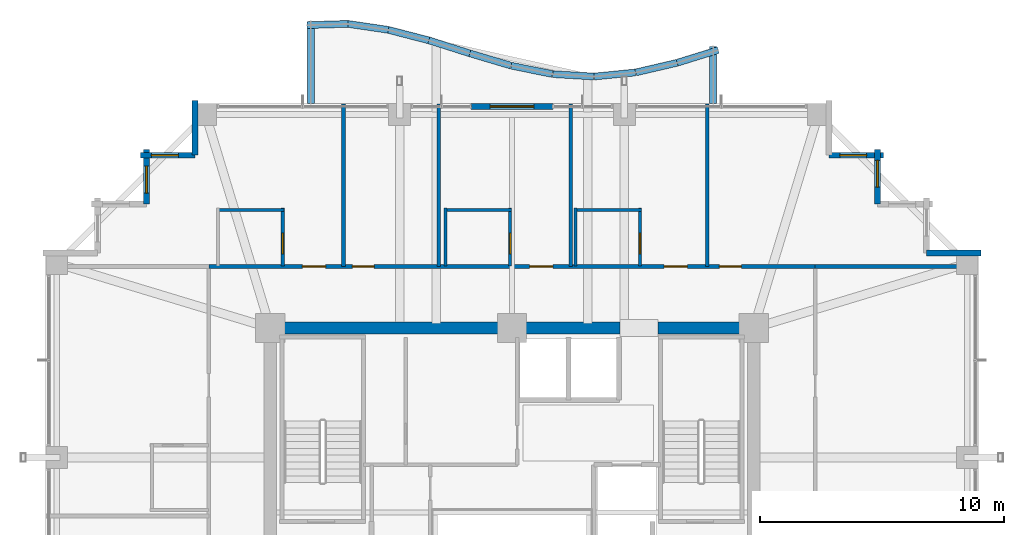
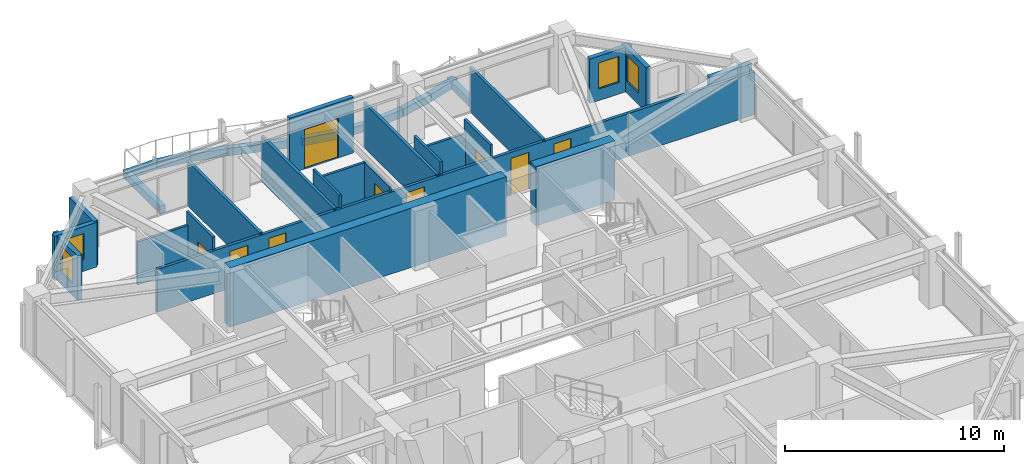
# One storey, part 29 of 32: 35 walls, 9 doors, 4 windows, 13 openings.
"""IFC4 building model written with IfcOpenShell, lengths in metres."""

import ifcopenshell
import ifcopenshell.guid

model = None  # the IFC model being written
_history = None  # IfcOwnerHistory: only IFC2X3 demands one
_inside = {}  # id of a spatial element -> (the spatial element, [elements in it])
_under = {}  # id of a project, library or spatial element -> (it, [spatial elements below it])
_declared = {}  # id of a project -> (the project, [libraries it declares])
_typed = {}  # id of a type object -> (the type object, [elements of that type])
_made_of = {}  # id of a material, layer set ... -> (it, [elements and type objects made of it])


def new_model(schema):
    """Start an empty IFC model of exactly this schema.

    Asked for "IFC4X3", IfcOpenShell would pick the latest addendum, in which some entities
    have other attributes; the version numbers below select the first issue.
    IFC2X3 requires an IfcOwnerHistory on every rooted entity: one is made here for all.
    """
    global model, _history
    if schema == "IFC4X3":
        model = ifcopenshell.file(schema_version=(4, 3, 0, 0))
    else:
        model = ifcopenshell.file(schema=schema)
    _inside.clear()
    _under.clear()
    _declared.clear()
    _typed.clear()
    _made_of.clear()
    _history = None
    if model.schema == "IFC2X3":
        org = make("IfcOrganization", Name="unknown")
        user = make(
            "IfcPersonAndOrganization",
            ThePerson=make("IfcPerson", FamilyName="unknown"),
            TheOrganization=org,
        )
        app = make(
            "IfcApplication",
            ApplicationDeveloper=org,
            Version="unknown",
            ApplicationFullName="unknown",
            ApplicationIdentifier="unknown",
        )
        _history = make(
            "IfcOwnerHistory",
            OwningUser=user,
            OwningApplication=app,
            ChangeAction="ADDED",
            CreationDate=0,
        )
    return model


def make(cls, **values):
    """One entity of the class cls with the attributes given. An attribute that is None is left unset."""
    return model.create_entity(
        cls, **{name: value for name, value in values.items() if value is not None}
    )


def rooted(cls, **values):
    """An entity with a GlobalId (a new one), such as an element, a storey or a relation."""
    return make(cls, GlobalId=ifcopenshell.guid.new(), OwnerHistory=_history, **values)


def si_unit(unit_type, name, prefix=None):
    """IfcSIUnit, for example si_unit("LENGTHUNIT", "METRE", prefix="MILLI")."""
    return make("IfcSIUnit", UnitType=unit_type, Prefix=prefix, Name=name)


def assignment(units):
    """IfcUnitAssignment: the units of a project."""
    return None if units is None else make("IfcUnitAssignment", Units=units)


def point(xyz):
    """IfcCartesianPoint."""
    return None if xyz is None else make("IfcCartesianPoint", Coordinates=xyz)


def direction(xyz):
    """IfcDirection."""
    return None if xyz is None else make("IfcDirection", DirectionRatios=xyz)


def frame(location, z_axis=None, x_axis=None):
    """IfcAxis2Placement3D, a coordinate frame: its origin and axes. An axis left out is left unset."""
    return make(
        "IfcAxis2Placement3D",
        Location=point(location),
        Axis=direction(z_axis),
        RefDirection=direction(x_axis),
    )


def frame_2d(location, x_axis=None):
    """IfcAxis2Placement2D, a coordinate frame in the plane: its origin and x axis."""
    return make(
        "IfcAxis2Placement2D", Location=point(location), RefDirection=direction(x_axis)
    )


def origin():
    """The frame at (0, 0, 0) with its axes left unset."""
    return frame((0.0, 0.0, 0.0))


def place(relative_to, where):
    """IfcLocalPlacement: puts the frame where relative to a parent placement (None: the world)."""
    return make(
        "IfcLocalPlacement", PlacementRelTo=relative_to, RelativePlacement=where
    )


def context(
    kind, dimensions, precision=None, world=None, true_north=None, identifier=None
):
    """IfcGeometricRepresentationContext, for example the 3D "Model" context."""
    return make(
        "IfcGeometricRepresentationContext",
        ContextIdentifier=identifier,
        ContextType=kind,
        CoordinateSpaceDimension=dimensions,
        Precision=precision,
        WorldCoordinateSystem=world,
        TrueNorth=true_north,
    )


def subcontext(parent, identifier, kind, view, scale=None):
    """IfcGeometricRepresentationSubContext, for example "Body" below "Model"."""
    return make(
        "IfcGeometricRepresentationSubContext",
        ContextIdentifier=identifier,
        ContextType=kind,
        ParentContext=parent,
        TargetScale=scale,
        TargetView=view,
    )


def project(units=None, contexts=None):
    """IfcProject with its units and contexts."""
    return rooted(
        "IfcProject",
        Name="project",
        RepresentationContexts=contexts,
        UnitsInContext=assignment(units),
    )


def spatial(cls, under=None, at=None, **own):
    """A site, building, storey or space (cls), placed at a placement, below another one or the project."""
    s = rooted(cls, ObjectPlacement=at, **own)
    if under is not None:
        _under.setdefault(under.id(), (under, []))[1].append(s)
    return s


def profile(cls, at=None, kind="AREA", **sizes):
    """A parametric profile (cls). Its sizes go by their IFC names, for example OverallWidth=200.0."""
    return make(cls, ProfileType=kind, Position=at, **sizes)


def rectangle(**sizes):
    """IfcRectangleProfileDef."""
    return profile("IfcRectangleProfileDef", **sizes)


def extrude(swept, where, along, depth):
    """IfcExtrudedAreaSolid: the profile swept, set in the frame where, extruded along a direction by depth."""
    return make(
        "IfcExtrudedAreaSolid",
        SweptArea=swept,
        Position=where,
        ExtrudedDirection=direction(along),
        Depth=depth,
    )


def shape(context_of_items, identifier, shape_type, items):
    """IfcShapeRepresentation: the items that make up one representation, for example the "Body"."""
    return make(
        "IfcShapeRepresentation",
        ContextOfItems=context_of_items,
        RepresentationIdentifier=identifier,
        RepresentationType=shape_type,
        Items=items,
    )


def material(Name=None, Category=None):
    """IfcMaterial."""
    return make("IfcMaterial", Name=Name, Category=Category)


def layer(
    of_material, thickness, ventilated=None, Name=None, Category=None, Priority=None
):
    """IfcMaterialLayer: one layer of a wall or slab, of a material (None: an air gap)."""
    return make(
        "IfcMaterialLayer",
        Material=of_material,
        LayerThickness=thickness,
        IsVentilated=ventilated,
        Name=Name,
        Category=Category,
        Priority=Priority,
    )


def layer_set(layers, Name=None):
    """IfcMaterialLayerSet."""
    return make("IfcMaterialLayerSet", MaterialLayers=layers, LayerSetName=Name)


def made_of(thing, what):
    """Note that an element or type object is made of a material, layer set ...; save() writes the relation."""
    if what is not None:
        _made_of.setdefault(what.id(), (what, []))[1].append(thing)
    return thing


def type_object(cls, material=None, **own):
    """A type object (cls), such as IfcWallType, which elements share."""
    return made_of(rooted(cls, **own), material)


def element(
    cls,
    number,
    at=None,
    inside=None,
    cuts=None,
    type_object=None,
    material=None,
    context=None,
    identifier="Body",
    shape_type=None,
    held_by="IfcProductDefinitionShape",
    body=None,
    shapes=None,
    **own,
):
    """One element of the class cls, such as IfcWall. Its Tag is "e" and its number.

    at: its placement. inside: the storey or other place that contains it. cuts: it is an
    opening in that element (IfcRelVoidsElement). A single representation is given by context,
    identifier, shape_type and body (its items); several are given by shapes. held_by: the class
    of the entity that holds the representations. save() writes the other relations.
    """
    e = rooted(cls, Tag="e%d" % number, ObjectPlacement=at, **own)
    if body is not None:
        shapes = [shape(context, identifier, shape_type, body)]
    if shapes is not None:
        e.Representation = make(held_by, Representations=shapes)
    if inside is not None:
        _inside.setdefault(inside.id(), (inside, []))[1].append(e)
    if cuts is not None:
        rooted(
            "IfcRelVoidsElement", RelatingBuildingElement=cuts, RelatedOpeningElement=e
        )
    if type_object is not None:
        _typed.setdefault(type_object.id(), (type_object, []))[1].append(e)
    return made_of(e, material)


def fill(opening, filler):
    """IfcRelFillsElement: the door or window that sits in an opening."""
    return rooted(
        "IfcRelFillsElement",
        RelatingOpeningElement=opening,
        RelatedBuildingElement=filler,
    )


def aggregate(whole, parts):
    """IfcRelAggregates: a whole, such as a stair, and the parts it consists of."""
    return rooted("IfcRelAggregates", RelatingObject=whole, RelatedObjects=parts)


def save(model, path):
    """Write the relations noted so far, then the file.

    IfcRelAggregates (storeys below a building ...), IfcRelContainedInSpatialStructure (elements
    in a storey), IfcRelDefinesByType, IfcRelAssociatesMaterial and IfcRelDeclares: one each for
    every whole, place, type object, material and project.
    """
    for whole, parts in _under.values():
        aggregate(whole, parts)
    for where, things in _inside.values():
        rooted(
            "IfcRelContainedInSpatialStructure",
            RelatedElements=things,
            RelatingStructure=where,
        )
    for kind, things in _typed.values():
        rooted("IfcRelDefinesByType", RelatedObjects=things, RelatingType=kind)
    for what, things in _made_of.values():
        rooted("IfcRelAssociatesMaterial", RelatedObjects=things, RelatingMaterial=what)
    for by, libraries in _declared.values():
        rooted("IfcRelDeclares", RelatingContext=by, RelatedDefinitions=libraries)
    model.write(path)


model = new_model("IFC4")

# Units and contexts
model_context = context("Model", 3, precision=1e-05, world=origin(), true_north=direction((0.0, 1.0)))
body_context = subcontext(model_context, "Body", "Model", "MODEL_VIEW")
ifc_project = project(units=[si_unit("LENGTHUNIT", "METRE"), si_unit("AREAUNIT", "SQUARE_METRE"), si_unit("VOLUMEUNIT", "CUBIC_METRE"), si_unit("PLANEANGLEUNIT", "RADIAN"), si_unit("MASSUNIT", "GRAM", prefix="KILO")], contexts=[model_context])

# Site, building, storey
site_placement = place(None, origin())
site = spatial("IfcSite", under=ifc_project, at=site_placement, CompositionType="ELEMENT")
building_placement = place(site_placement, origin())
building = spatial("IfcBuilding", under=site, at=building_placement, Name="Kolvaren Belvedere", CompositionType="ELEMENT")
storey_placement = place(building_placement, frame((0.0, 0.0, 160.199951171875)))
storey = spatial("IfcBuildingStorey", under=building, at=storey_placement, Name="L46", CompositionType="ELEMENT", Elevation=160.199951171875)

# Walls
ifc_material_1 = material(Name="Concrete C50/60", Category="concrete")
ifc_layer_1 = layer(ifc_material_1, 0.5)
ifc_layer_set_1 = layer_set([ifc_layer_1], Name="Concrete C50/60")
wall_type_1 = type_object("IfcWallType", Name="CW-CORE-500", PredefinedType="SHEAR", material=ifc_layer_set_1)
wall_1_placement = place(storey_placement, frame((-10.14990234375, 9.89990234375, 0.0), z_axis=(0.0, 0.0, 1.0), x_axis=(1.0, 0.0, 0.0)))
element("IfcWall", 1, at=wall_1_placement, inside=storey, type_object=wall_type_1, Name="L46 North Core Shear Wall 1", PredefinedType="SHEAR", context=body_context, shape_type="SweptSolid", body=[
    extrude(rectangle(XDim=14.56982421875, YDim=0.5, at=frame_2d((7.284912109375, 0.0))), origin(), (0.0, 0.0, 1.0), 3.300048828125),
])
wall_2_placement = place(storey_placement, frame((5.97998046875, 9.89990234375, 0.0), z_axis=(0.0, 0.0, 1.0), x_axis=(1.0, 0.0, 0.0)))
element("IfcWall", 2, at=wall_2_placement, inside=storey, type_object=wall_type_1, Name="L46 North Core Shear Wall 2", PredefinedType="SHEAR", context=body_context, shape_type="SweptSolid", body=[
    extrude(rectangle(XDim=4.169921875, YDim=0.5, at=frame_2d((2.0849609375, 0.0))), origin(), (0.0, 0.0, 1.0), 3.300048828125),
])

# Wall, openings, doors
ifc_material_2 = material(Name="Gypsum fire-rated partition assembly", Category="gypsum")
ifc_layer_2 = layer(ifc_material_2, 0.14990234375)
ifc_layer_set_2 = layer_set([ifc_layer_2], Name="Gypsum fire-rated partition assembly")
wall_type_2 = type_object("IfcWallType", Name="WL-CORR-150", PredefinedType="PARTITIONING", material=ifc_layer_set_2)
wall_3_placement = place(storey_placement, frame((-12.419921875, 12.419921875, 0.0), z_axis=(0.0, 0.0, 1.0), x_axis=(1.0, 0.0, 0.0)))
wall_3 = element("IfcWall", 3, at=wall_3_placement, inside=storey, type_object=wall_type_2, Name="L46 North Corridor Wall", PredefinedType="PARTITIONING", context=body_context, shape_type="SweptSolid", body=[
    extrude(rectangle(XDim=24.83984375, YDim=0.14990234375, at=frame_2d((12.419921875, 0.0))), origin(), (0.0, 0.0, 1.0), 2.38916015625),
])
opening_1_placement = place(wall_3_placement, frame((3.831298828125, 0.0, 0.0)))
opening_1 = element("IfcOpeningElement", 4, at=opening_1_placement, cuts=wall_3, Name="Opening D-FD60", PredefinedType="OPENING", context=body_context, shape_type="SweptSolid", body=[
    extrude(rectangle(XDim=0.949951171875, YDim=2.06005859375, at=frame_2d((0.47509765625, 1.030029296875))), frame((0.0, 0.0849609375, 0.0), z_axis=(0.0, -1.0, 0.0), x_axis=(1.0, 0.0, 0.0)), (0.0, 0.0, 1.0), 0.169921875),
])
opening_2_placement = place(wall_3_placement, frame((5.876953125, 0.0, 0.0)))
opening_2 = element("IfcOpeningElement", 5, at=opening_2_placement, cuts=wall_3, Name="Opening D-INT90", PredefinedType="OPENING", context=body_context, shape_type="SweptSolid", body=[
    extrude(rectangle(XDim=0.89990234375, YDim=2.06005859375, at=frame_2d((0.449951171875, 1.030029296875))), frame((0.0, 0.0849609375, 0.0), z_axis=(0.0, -1.0, 0.0), x_axis=(1.0, 0.0, 0.0)), (0.0, 0.0, 1.0), 0.169921875),
])
opening_3_placement = place(wall_3_placement, frame((13.146484375, 0.0, 0.0)))
opening_3 = element("IfcOpeningElement", 6, at=opening_3_placement, cuts=wall_3, Name="Opening D-FD60", PredefinedType="OPENING", context=body_context, shape_type="SweptSolid", body=[
    extrude(rectangle(XDim=0.949951171875, YDim=2.06005859375, at=frame_2d((0.47509765625, 1.030029296875))), frame((0.0, 0.0849609375, 0.0), z_axis=(0.0, -1.0, 0.0), x_axis=(1.0, 0.0, 0.0)), (0.0, 0.0, 1.0), 0.169921875),
])
opening_4_placement = place(wall_3_placement, frame((18.653076171875, 0.0, 0.0)))
opening_4 = element("IfcOpeningElement", 7, at=opening_4_placement, cuts=wall_3, Name="Opening D-FD60", PredefinedType="OPENING", context=body_context, shape_type="SweptSolid", body=[
    extrude(rectangle(XDim=0.949951171875, YDim=2.06005859375, at=frame_2d((0.47509765625, 1.030029296875))), frame((0.0, 0.0849609375, 0.0), z_axis=(0.0, -1.0, 0.0), x_axis=(1.0, 0.0, 0.0)), (0.0, 0.0, 1.0), 0.169921875),
])
opening_5_placement = place(wall_3_placement, frame((20.91552734375, 0.0, 0.0)))
opening_5 = element("IfcOpeningElement", 8, at=opening_5_placement, cuts=wall_3, Name="Opening D-INT90", PredefinedType="OPENING", context=body_context, shape_type="SweptSolid", body=[
    extrude(rectangle(XDim=0.89990234375, YDim=2.06005859375, at=frame_2d((0.449951171875, 1.030029296875))), frame((0.0, 0.0849609375, 0.0), z_axis=(0.0, -1.0, 0.0), x_axis=(1.0, 0.0, 0.0)), (0.0, 0.0, 1.0), 0.169921875),
])
ifc_material_3 = material(Name="Acoustic white-oak fire door leaf", Category="timber")
door_type_1 = type_object("IfcDoorType", Name="DR-FD60-950", OperationType="NOTDEFINED", PredefinedType="DOOR", material=ifc_material_3)
door_1_placement = place(opening_1_placement, origin())
door_1 = element("IfcDoor", 9, at=door_1_placement, inside=storey, type_object=door_type_1, Name="L46 Botanical Hospitality Suite 4609 Entry Door", OperationType="SINGLE_SWING_RIGHT", OverallHeight=2.06005859375, OverallWidth=0.949951171875, PredefinedType="DOOR", context=body_context, shape_type="SweptSolid", body=[
    extrude(rectangle(XDim=0.949951171875, YDim=2.06005859375, at=frame_2d((0.47509765625, 1.030029296875))), frame((0.0, 0.02490234375, 0.0), z_axis=(0.0, -1.0, 0.0), x_axis=(1.0, 0.0, 0.0)), (0.0, 0.0, 1.0), 0.050048828125),
])
fill(opening_1, door_1)
door_2_placement = place(opening_3_placement, origin())
door_2 = element("IfcDoor", 10, at=door_2_placement, inside=storey, type_object=door_type_1, Name="L46 Botanical Hospitality Suite 4611 Entry Door", OperationType="SINGLE_SWING_LEFT", OverallHeight=2.06005859375, OverallWidth=0.949951171875, PredefinedType="DOOR", context=body_context, shape_type="SweptSolid", body=[
    extrude(rectangle(XDim=0.949951171875, YDim=2.06005859375, at=frame_2d((0.47509765625, 1.030029296875))), frame((0.0, 0.02490234375, 0.0), z_axis=(0.0, -1.0, 0.0), x_axis=(1.0, 0.0, 0.0)), (0.0, 0.0, 1.0), 0.050048828125),
])
fill(opening_3, door_2)
door_3_placement = place(opening_4_placement, origin())
door_3 = element("IfcDoor", 11, at=door_3_placement, inside=storey, type_object=door_type_1, Name="L46 King Guest Room 4612 Entry Door", OperationType="SINGLE_SWING_LEFT", OverallHeight=2.06005859375, OverallWidth=0.949951171875, PredefinedType="DOOR", context=body_context, shape_type="SweptSolid", body=[
    extrude(rectangle(XDim=0.949951171875, YDim=2.06005859375, at=frame_2d((0.47509765625, 1.030029296875))), frame((0.0, 0.02490234375, 0.0), z_axis=(0.0, -1.0, 0.0), x_axis=(1.0, 0.0, 0.0)), (0.0, 0.0, 1.0), 0.050048828125),
])
fill(opening_4, door_3)
ifc_material_4 = material(Name="Stained Pacific white oak", Category="timber")
door_type_2 = type_object("IfcDoorType", Name="DR-INT-900", OperationType="NOTDEFINED", PredefinedType="DOOR", material=ifc_material_4)
door_4_placement = place(opening_2_placement, origin())
door_4 = element("IfcDoor", 12, at=door_4_placement, inside=storey, type_object=door_type_2, Name="L46 Lounge 4610 Door", OperationType="SINGLE_SWING_LEFT", OverallHeight=2.06005859375, OverallWidth=0.89990234375, PredefinedType="DOOR", context=body_context, shape_type="SweptSolid", body=[
    extrude(rectangle(XDim=0.89990234375, YDim=2.06005859375, at=frame_2d((0.449951171875, 1.030029296875))), frame((0.0, 0.02490234375, 0.0), z_axis=(0.0, -1.0, 0.0), x_axis=(1.0, 0.0, 0.0)), (0.0, 0.0, 1.0), 0.050048828125),
])
fill(opening_2, door_4)
door_5_placement = place(opening_5_placement, origin())
door_5 = element("IfcDoor", 13, at=door_5_placement, inside=storey, type_object=door_type_2, Name="L46 Lounge 4613 Door", OperationType="SINGLE_SWING_RIGHT", OverallHeight=2.06005859375, OverallWidth=0.89990234375, PredefinedType="DOOR", context=body_context, shape_type="SweptSolid", body=[
    extrude(rectangle(XDim=0.89990234375, YDim=2.06005859375, at=frame_2d((0.449951171875, 1.030029296875))), frame((0.0, 0.02490234375, 0.0), z_axis=(0.0, -1.0, 0.0), x_axis=(1.0, 0.0, 0.0)), (0.0, 0.0, 1.0), 0.050048828125),
])
fill(opening_5, door_5)

# Wall
ifc_material_5 = material(Name="Insulated pale-metal facade wall assembly", Category="aluminium")
ifc_layer_3 = layer(ifc_material_5, 0.239990234375)
ifc_layer_set_3 = layer_set([ifc_layer_3], Name="Insulated pale-metal facade wall assembly")
wall_type_3 = type_object("IfcWallType", Name="WL-EXT-240", PredefinedType="STANDARD", material=ifc_layer_set_3)
wall_4_placement = place(storey_placement, frame((16.97998046875, 12.97998046875, 0.0), z_axis=(0.0, 0.0, 1.0), x_axis=(1.0, 0.0, 0.0)))
element("IfcWall", 14, at=wall_4_placement, inside=storey, type_object=wall_type_3, Name="L46 Serrated Corner Facade Wall 9", PredefinedType="STANDARD", context=body_context, shape_type="SweptSolid", body=[
    extrude(rectangle(XDim=2.239990234375, YDim=0.239990234375, at=frame_2d((1.1201171875, 0.0))), origin(), (0.0, 0.0, 1.0), 2.483154296875),
])

# Wall, opening, window
wall_5_placement = place(storey_placement, frame((14.97998046875, 17.219970703125, 0.0), z_axis=(0.0, 0.0, 1.0), x_axis=(0.0, -1.0, 0.0)))
wall_5 = element("IfcWall", 15, at=wall_5_placement, inside=storey, type_object=wall_type_3, Name="L46 Serrated Corner Facade Wall 12", PredefinedType="STANDARD", context=body_context, shape_type="SweptSolid", body=[
    extrude(rectangle(XDim=2.239990234375, YDim=0.239990234375, at=frame_2d((1.1201171875, 0.0))), origin(), (0.0, 0.0, 1.0), 2.483154296875),
])
opening_6_placement = place(wall_5_placement, frame((0.449951171875, 0.0, 0.64990234375)))
opening_6 = element("IfcOpeningElement", 16, at=opening_6_placement, cuts=wall_5, Name="Opening W-1100", PredefinedType="OPENING", context=body_context, shape_type="SweptSolid", body=[
    extrude(rectangle(XDim=1.10009765625, YDim=1.449951171875, at=frame_2d((0.550048828125, 0.72509765625))), frame((0.0, 0.1298828125, 0.0), z_axis=(0.0, -1.0, 0.0), x_axis=(1.0, 0.0, 0.0)), (0.0, 0.0, 1.0), 0.260009765625),
])
ifc_material_6 = material(Name="Low-iron triple insulated glass", Category="glass")
window_type = type_object("IfcWindowType", Name="WN-CORN-1100", PartitioningType="SINGLE_PANEL", PredefinedType="WINDOW", material=ifc_material_6)
window_1_placement = place(opening_6_placement, origin())
window_1 = element("IfcWindow", 17, at=window_1_placement, inside=storey, type_object=window_type, Name="L46 Serrated Corner Vision Window 12", OverallHeight=1.449951171875, OverallWidth=1.10009765625, PartitioningType="SINGLE_PANEL", PredefinedType="WINDOW", context=body_context, shape_type="SweptSolid", body=[
    extrude(rectangle(XDim=1.10009765625, YDim=1.449951171875, at=frame_2d((0.550048828125, 0.72509765625))), frame((0.0, 0.030029296875, 0.0), z_axis=(0.0, -1.0, 0.0), x_axis=(1.0, 0.0, 0.0)), (0.0, 0.0, 1.0), 0.06005859375),
])
fill(opening_6, window_1)

wall_6_placement = place(storey_placement, frame((12.97998046875, 16.97998046875, 0.0), z_axis=(0.0, 0.0, 1.0), x_axis=(1.0, 0.0, 0.0)))
wall_6 = element("IfcWall", 18, at=wall_6_placement, inside=storey, type_object=wall_type_3, Name="L46 Serrated Corner Facade Wall 13", PredefinedType="STANDARD", context=body_context, shape_type="SweptSolid", body=[
    extrude(rectangle(XDim=2.239990234375, YDim=0.239990234375, at=frame_2d((1.1201171875, 0.0))), origin(), (0.0, 0.0, 1.0), 2.483154296875),
])
opening_7_placement = place(wall_6_placement, frame((0.449951171875, 0.0, 0.64990234375)))
opening_7 = element("IfcOpeningElement", 19, at=opening_7_placement, cuts=wall_6, Name="Opening W-1100", PredefinedType="OPENING", context=body_context, shape_type="SweptSolid", body=[
    extrude(rectangle(XDim=1.10009765625, YDim=1.449951171875, at=frame_2d((0.550048828125, 0.72509765625))), frame((0.0, 0.1298828125, 0.0), z_axis=(0.0, -1.0, 0.0), x_axis=(1.0, 0.0, 0.0)), (0.0, 0.0, 1.0), 0.260009765625),
])
window_2_placement = place(opening_7_placement, origin())
window_2 = element("IfcWindow", 20, at=window_2_placement, inside=storey, type_object=window_type, Name="L46 Serrated Corner Vision Window 13", OverallHeight=1.449951171875, OverallWidth=1.10009765625, PartitioningType="SINGLE_PANEL", PredefinedType="WINDOW", context=body_context, shape_type="SweptSolid", body=[
    extrude(rectangle(XDim=1.10009765625, YDim=1.449951171875, at=frame_2d((0.550048828125, 0.72509765625))), frame((0.0, 0.030029296875, 0.0), z_axis=(0.0, -1.0, 0.0), x_axis=(1.0, 0.0, 0.0)), (0.0, 0.0, 1.0), 0.06005859375),
])
fill(opening_7, window_2)

# Wall, opening, door
wall_7_placement = place(storey_placement, frame((-1.679931640625, 18.97998046875, 0.0), z_axis=(0.0, 0.0, 1.0), x_axis=(1.0, 0.0, 0.0)))
wall_7 = element("IfcWall", 21, at=wall_7_placement, inside=storey, type_object=wall_type_3, Name="L46 North Terrace Portal Wall", PredefinedType="STANDARD", context=body_context, shape_type="SweptSolid", body=[
    extrude(rectangle(XDim=3.35986328125, YDim=0.239990234375, at=frame_2d((1.679931640625, 0.0))), origin(), (0.0, 0.0, 1.0), 3.10009765625),
])
opening_8_placement = place(wall_7_placement, frame((0.780029296875, 0.0, 0.0)))
opening_8 = element("IfcOpeningElement", 22, at=opening_8_placement, cuts=wall_7, Name="Opening DB-1800", PredefinedType="OPENING", context=body_context, shape_type="SweptSolid", body=[
    extrude(rectangle(XDim=1.800048828125, YDim=2.199951171875, at=frame_2d((0.89990234375, 1.10009765625))), frame((0.0, 0.1298828125, 0.0), z_axis=(0.0, -1.0, 0.0), x_axis=(1.0, 0.0, 0.0)), (0.0, 0.0, 1.0), 0.260009765625),
])
ifc_material_7 = material(Name="Thermally broken pale-metal aluminium & low-iron glass", Category="aluminium")
door_type_3 = type_object("IfcDoorType", Name="DR-BAL-1800", OperationType="DOUBLE_DOOR_SLIDING", PredefinedType="DOOR", material=ifc_material_7)
door_6_placement = place(opening_8_placement, origin())
door_6 = element("IfcDoor", 23, at=door_6_placement, inside=storey, type_object=door_type_3, Name="L46 North Planted Terrace Sliding Door", OperationType="DOUBLE_DOOR_SLIDING", OverallHeight=2.199951171875, OverallWidth=1.800048828125, PredefinedType="DOOR", context=body_context, shape_type="SweptSolid", body=[
    extrude(rectangle(XDim=1.800048828125, YDim=2.199951171875, at=frame_2d((0.89990234375, 1.10009765625))), frame((0.0, 0.02490234375, 0.0), z_axis=(0.0, -1.0, 0.0), x_axis=(1.0, 0.0, 0.0)), (0.0, 0.0, 1.0), 0.050048828125),
])
fill(opening_8, door_6)

# Wall
wall_8_placement = place(storey_placement, frame((-12.97998046875, 16.97998046875, 0.0), z_axis=(0.0, 0.0, 1.0), x_axis=(0.0, 1.0, 0.0)))
element("IfcWall", 24, at=wall_8_placement, inside=storey, type_object=wall_type_3, Name="L46 Serrated Corner Facade Wall 16", PredefinedType="STANDARD", context=body_context, shape_type="SweptSolid", body=[
    extrude(rectangle(XDim=2.239990234375, YDim=0.239990234375, at=frame_2d((1.1201171875, 0.0))), origin(), (0.0, 0.0, 1.0), 2.483154296875),
])

# Wall, opening, window
wall_9_placement = place(storey_placement, frame((-15.219970703125, 16.97998046875, 0.0), z_axis=(0.0, 0.0, 1.0), x_axis=(1.0, 0.0, 0.0)))
wall_9 = element("IfcWall", 25, at=wall_9_placement, inside=storey, type_object=wall_type_3, Name="L46 Serrated Corner Facade Wall 17", PredefinedType="STANDARD", context=body_context, shape_type="SweptSolid", body=[
    extrude(rectangle(XDim=2.239990234375, YDim=0.239990234375, at=frame_2d((1.1201171875, 0.0))), origin(), (0.0, 0.0, 1.0), 2.483154296875),
])
opening_9_placement = place(wall_9_placement, frame((0.449951171875, 0.0, 0.64990234375)))
opening_9 = element("IfcOpeningElement", 26, at=opening_9_placement, cuts=wall_9, Name="Opening W-1100", PredefinedType="OPENING", context=body_context, shape_type="SweptSolid", body=[
    extrude(rectangle(XDim=1.10009765625, YDim=1.449951171875, at=frame_2d((0.550048828125, 0.72509765625))), frame((0.0, 0.1298828125, 0.0), z_axis=(0.0, -1.0, 0.0), x_axis=(1.0, 0.0, 0.0)), (0.0, 0.0, 1.0), 0.260009765625),
])
window_3_placement = place(opening_9_placement, origin())
window_3 = element("IfcWindow", 27, at=window_3_placement, inside=storey, type_object=window_type, Name="L46 Serrated Corner Vision Window 17", OverallHeight=1.449951171875, OverallWidth=1.10009765625, PartitioningType="SINGLE_PANEL", PredefinedType="WINDOW", context=body_context, shape_type="SweptSolid", body=[
    extrude(rectangle(XDim=1.10009765625, YDim=1.449951171875, at=frame_2d((0.550048828125, 0.72509765625))), frame((0.0, 0.030029296875, 0.0), z_axis=(0.0, -1.0, 0.0), x_axis=(1.0, 0.0, 0.0)), (0.0, 0.0, 1.0), 0.06005859375),
])
fill(opening_9, window_3)

wall_10_placement = place(storey_placement, frame((-14.97998046875, 14.97998046875, 0.0), z_axis=(0.0, 0.0, 1.0), x_axis=(0.0, 1.0, 0.0)))
wall_10 = element("IfcWall", 28, at=wall_10_placement, inside=storey, type_object=wall_type_3, Name="L46 Serrated Corner Facade Wall 18", PredefinedType="STANDARD", context=body_context, shape_type="SweptSolid", body=[
    extrude(rectangle(XDim=2.239990234375, YDim=0.239990234375, at=frame_2d((1.1201171875, 0.0))), origin(), (0.0, 0.0, 1.0), 2.483154296875),
])
opening_10_placement = place(wall_10_placement, frame((0.449951171875, 0.0, 0.64990234375)))
opening_10 = element("IfcOpeningElement", 29, at=opening_10_placement, cuts=wall_10, Name="Opening W-1100", PredefinedType="OPENING", context=body_context, shape_type="SweptSolid", body=[
    extrude(rectangle(XDim=1.10009765625, YDim=1.449951171875, at=frame_2d((0.550048828125, 0.72509765625))), frame((0.0, 0.1298828125, 0.0), z_axis=(0.0, -1.0, 0.0), x_axis=(1.0, 0.0, 0.0)), (0.0, 0.0, 1.0), 0.260009765625),
])
window_4_placement = place(opening_10_placement, origin())
window_4 = element("IfcWindow", 30, at=window_4_placement, inside=storey, type_object=window_type, Name="L46 Serrated Corner Vision Window 18", OverallHeight=1.449951171875, OverallWidth=1.10009765625, PartitioningType="SINGLE_PANEL", PredefinedType="WINDOW", context=body_context, shape_type="SweptSolid", body=[
    extrude(rectangle(XDim=1.10009765625, YDim=1.449951171875, at=frame_2d((0.550048828125, 0.72509765625))), frame((0.0, 0.030029296875, 0.0), z_axis=(0.0, -1.0, 0.0), x_axis=(1.0, 0.0, 0.0)), (0.0, 0.0, 1.0), 0.06005859375),
])
fill(opening_10, window_4)

# Walls
ifc_material_8 = material(Name="Gypsum acoustic partition assembly", Category="gypsum")
ifc_layer_4 = layer(ifc_material_8, 0.14990234375)
ifc_layer_set_4 = layer_set([ifc_layer_4], Name="Gypsum acoustic partition assembly")
wall_type_4 = type_object("IfcWallType", Name="WL-PART-150", PredefinedType="PARTITIONING", material=ifc_layer_set_4)
wall_11_placement = place(storey_placement, frame((12.419921875, 12.419921875, 0.0), z_axis=(0.0, 0.0, 1.0), x_axis=(1.0, 0.0, 0.0)))
element("IfcWall", 31, at=wall_11_placement, inside=storey, type_object=wall_type_4, Name="L46 Wing Divider PW-L46-QNE", PredefinedType="PARTITIONING", context=body_context, shape_type="SweptSolid", body=[
    extrude(rectangle(XDim=6.66015625, YDim=0.14990234375, at=frame_2d((3.330078125, 0.0))), origin(), (0.0, 0.0, 1.0), 2.38916015625),
])
for number, where, z_axis, x_axis, name in (
    (32, (-6.89990234375, 12.419921875, 0.0), (0.0, 0.0, 1.0), (0.0, 1.0, 0.0), "L46 North Suite Demising Wall 1"),
    (33, (-3.0, 12.419921875, 0.0), (0.0, 0.0, 1.0), (0.0, 1.0, 0.0), "L46 North Suite Demising Wall 2"),
    (34, (2.39990234375, 12.419921875, 0.0), (0.0, 0.0, 1.0), (0.0, 1.0, 0.0), "L46 North Suite Demising Wall 3"),
    (35, (8.0, 12.419921875, 0.0), (0.0, 0.0, 1.0), (0.0, 1.0, 0.0), "L46 North Suite Demising Wall 4"),
):
    element("IfcWall", number, at=place(storey_placement, frame(where, z_axis=z_axis, x_axis=x_axis)), inside=storey, type_object=wall_type_4, Name=name, PredefinedType="PARTITIONING", context=body_context, shape_type="SweptSolid", body=[
        extrude(rectangle(XDim=6.66015625, YDim=0.14990234375, at=frame_2d((3.330078125, 0.0))), origin(), (0.0, 0.0, 1.0), 2.47314453125),
    ])
ifc_material_9 = material(Name="Precast concrete C40/50", Category="concrete")
ifc_layer_5 = layer(ifc_material_9, 0.300048828125)
ifc_layer_set_5 = layer_set([ifc_layer_5], Name="Precast concrete C40/50")
wall_type_5 = type_object("IfcWallType", Name="WL-PLANTER-300", PredefinedType="PARAPET", material=ifc_layer_set_5)
wall_12_placement = place(storey_placement, frame((8.239990234375, 19.10009765625, -0.02001953125), z_axis=(0.0, 0.0, 1.0), x_axis=(0.0, 1.0, 0.0)))
element("IfcWall", 36, at=wall_12_placement, inside=storey, type_object=wall_type_5, Name="L46 Precast Structural Planter Wall BAL-N-11", PredefinedType="PARAPET", context=body_context, shape_type="SweptSolid", body=[
    extrude(rectangle(XDim=2.33984375, YDim=0.280029296875, at=frame_2d((1.169921875, 0.0))), origin(), (0.0, 0.0, 1.0), 0.420166015625),
])
wall_13_placement = place(storey_placement, frame((8.447265625, 21.287109375, -0.02001953125), z_axis=(0.0, 0.0, 1.0), x_axis=(-0.95524013163, -0.295831524561, 0.0)))
element("IfcWall", 37, at=wall_13_placement, inside=storey, type_object=wall_type_5, Name="L46 Precast Structural Planter Wall BAL-N-12", PredefinedType="PARAPET", context=body_context, shape_type="SweptSolid", body=[
    extrude(rectangle(XDim=1.758544921875, YDim=0.280029296875, at=frame_2d((0.87939453125, 0.0))), origin(), (0.0, 0.0, 1.0), 0.420166015625),
])
wall_14_placement = place(storey_placement, frame((6.75634765625, 20.763916015625, -0.02001953125), z_axis=(0.0, 0.0, 1.0), x_axis=(-0.973890253884, -0.227019323824, 0.0)))
element("IfcWall", 38, at=wall_14_placement, inside=storey, type_object=wall_type_5, Name="L46 Precast Structural Planter Wall BAL-N-13", PredefinedType="PARAPET", context=body_context, shape_type="SweptSolid", body=[
    extrude(rectangle(XDim=1.724853515625, YDim=0.280029296875, at=frame_2d((0.8623046875, 0.0))), origin(), (0.0, 0.0, 1.0), 0.420166015625),
])
wall_15_placement = place(storey_placement, frame((5.0556640625, 20.368896484375, -0.02001953125), z_axis=(0.0, 0.0, 1.0), x_axis=(-0.995152499202, -0.098343801694, 0.0)))
element("IfcWall", 39, at=wall_15_placement, inside=storey, type_object=wall_type_5, Name="L46 Precast Structural Planter Wall BAL-N-14", PredefinedType="PARAPET", context=body_context, shape_type="SweptSolid", body=[
    extrude(rectangle(XDim=1.688232421875, YDim=0.280029296875, at=frame_2d((0.84423828125, 0.0))), origin(), (0.0, 0.0, 1.0), 0.420166015625),
])
wall_16_placement = place(storey_placement, frame((3.350341796875, 20.202392578125, -0.02001953125), z_axis=(0.0, 0.0, 1.0), x_axis=(-0.998212296378, 0.059767979379, 0.0)))
element("IfcWall", 40, at=wall_16_placement, inside=storey, type_object=wall_type_5, Name="L46 Precast Structural Planter Wall BAL-N-15", PredefinedType="PARAPET", context=body_context, shape_type="SweptSolid", body=[
    extrude(rectangle(XDim=1.682861328125, YDim=0.280029296875, at=frame_2d((0.84130859375, 0.0))), origin(), (0.0, 0.0, 1.0), 0.420166015625),
])
wall_17_placement = place(storey_placement, frame((1.64794921875, 20.305908203125, -0.02001953125), z_axis=(0.0, 0.0, 1.0), x_axis=(-0.979839912937, 0.199784246163, 0.0)))
element("IfcWall", 41, at=wall_17_placement, inside=storey, type_object=wall_type_5, Name="L46 Precast Structural Planter Wall BAL-N-16", PredefinedType="PARAPET", context=body_context, shape_type="SweptSolid", body=[
    extrude(rectangle(XDim=1.714599609375, YDim=0.280029296875, at=frame_2d((0.857421875, 0.0))), origin(), (0.0, 0.0, 1.0), 0.420166015625),
])
wall_18_placement = place(storey_placement, frame((-0.045654296875, 20.65185546875, -0.02001953125), z_axis=(0.0, 0.0, 1.0), x_axis=(-0.95856309129, 0.284880325779, 0.0)))
element("IfcWall", 42, at=wall_18_placement, inside=storey, type_object=wall_type_5, Name="L46 Precast Structural Planter Wall BAL-N-17", PredefinedType="PARAPET", context=body_context, shape_type="SweptSolid", body=[
    extrude(rectangle(XDim=1.75244140625, YDim=0.280029296875, at=frame_2d((0.876220703125, 0.0))), origin(), (0.0, 0.0, 1.0), 0.420166015625),
])
wall_19_placement = place(storey_placement, frame((-1.728515625, 21.152099609375, -0.02001953125), z_axis=(0.0, 0.0, 1.0), x_axis=(-0.953181954832, 0.302397356111, 0.0)))
element("IfcWall", 43, at=wall_19_placement, inside=storey, type_object=wall_type_5, Name="L46 Precast Structural Planter Wall BAL-N-18", PredefinedType="PARAPET", context=body_context, shape_type="SweptSolid", body=[
    extrude(rectangle(XDim=1.762451171875, YDim=0.280029296875, at=frame_2d((0.88134765625, 0.0))), origin(), (0.0, 0.0, 1.0), 0.420166015625),
])
wall_20_placement = place(storey_placement, frame((-3.400146484375, 21.6826171875, -0.02001953125), z_axis=(0.0, 0.0, 1.0), x_axis=(-0.968132209145, 0.250439664624, 0.0)))
element("IfcWall", 44, at=wall_20_placement, inside=storey, type_object=wall_type_5, Name="L46 Precast Structural Planter Wall BAL-N-19", PredefinedType="PARAPET", context=body_context, shape_type="SweptSolid", body=[
    extrude(rectangle(XDim=1.7353515625, YDim=0.280029296875, at=frame_2d((0.86767578125, 0.0))), origin(), (0.0, 0.0, 1.0), 0.420166015625),
])
wall_21_placement = place(storey_placement, frame((-5.063232421875, 22.114013671875, -0.02001953125), z_axis=(0.0, 0.0, 1.0), x_axis=(-0.98929818871, 0.145907826437, 0.0)))
element("IfcWall", 45, at=wall_21_placement, inside=storey, type_object=wall_type_5, Name="L46 Precast Structural Planter Wall BAL-N-20", PredefinedType="PARAPET", context=body_context, shape_type="SweptSolid", body=[
    extrude(rectangle(XDim=1.6982421875, YDim=0.280029296875, at=frame_2d((0.84912109375, 0.0))), origin(), (0.0, 0.0, 1.0), 0.420166015625),
])
wall_22_placement = place(storey_placement, frame((-6.715087890625, 22.360107421875, -0.02001953125), z_axis=(0.0, 0.0, 1.0), x_axis=(-0.999503107358, -0.031520443874, 0.0)))
element("IfcWall", 46, at=wall_22_placement, inside=storey, type_object=wall_type_5, Name="L46 Precast Structural Planter Wall BAL-N-21", PredefinedType="PARAPET", context=body_context, shape_type="SweptSolid", body=[
    extrude(rectangle(XDim=1.6806640625, YDim=0.280029296875, at=frame_2d((0.84033203125, 0.0))), origin(), (0.0, 0.0, 1.0), 0.420166015625),
])
wall_23_placement = place(storey_placement, frame((-8.239990234375, 22.467041015625, -0.02001953125), z_axis=(0.0, 0.0, 1.0), x_axis=(0.0, -1.0, 0.0)))
element("IfcWall", 47, at=wall_23_placement, inside=storey, type_object=wall_type_5, Name="L46 Precast Structural Planter Wall BAL-N-22", PredefinedType="PARAPET", context=body_context, shape_type="SweptSolid", body=[
    extrude(rectangle(XDim=3.366943359375, YDim=0.280029296875, at=frame_2d((1.68359375, 0.0))), origin(), (0.0, 0.0, 1.0), 0.420166015625),
])

# Wall, opening, door
ifc_material_10 = material(Name="Moisture-resistant gypsum partition", Category="gypsum")
ifc_layer_6 = layer(ifc_material_10, 0.125)
ifc_layer_set_6 = layer_set([ifc_layer_6], Name="Moisture-resistant gypsum partition")
wall_type_6 = type_object("IfcWallType", Name="WL-WET-125", PredefinedType="PARTITIONING", material=ifc_layer_set_6)
wall_24_placement = place(storey_placement, frame((-9.39111328125, 12.43505859375, 0.0), z_axis=(0.0, 0.0, 1.0), x_axis=(0.0, 1.0, 0.0)))
wall_24 = element("IfcWall", 48, at=wall_24_placement, inside=storey, type_object=wall_type_6, Name="L46 Bathroom Partition PW-L46-BTH-9-E", PredefinedType="PARTITIONING", context=body_context, shape_type="SweptSolid", body=[
    extrude(rectangle(XDim=2.389892578125, YDim=0.125, at=frame_2d((1.19482421875, 0.0))), origin(), (0.0, 0.0, 1.0), 3.10009765625),
])
opening_11_placement = place(wall_24_placement, frame((0.5, 0.0, 0.0)))
opening_11 = element("IfcOpeningElement", 49, at=opening_11_placement, cuts=wall_24, Name="Opening D-BTH85", PredefinedType="OPENING", context=body_context, shape_type="SweptSolid", body=[
    extrude(rectangle(XDim=0.85009765625, YDim=2.030029296875, at=frame_2d((0.425048828125, 1.01513671875))), frame((0.0, 0.072509765625, 0.0), z_axis=(0.0, -1.0, 0.0), x_axis=(1.0, 0.0, 0.0)), (0.0, 0.0, 1.0), 0.14501953125),
])
ifc_material_11 = material(Name="Moisture-sealed Pacific white oak", Category="timber")
door_type_4 = type_object("IfcDoorType", Name="DR-BATH-850", OperationType="NOTDEFINED", PredefinedType="DOOR", material=ifc_material_11)
door_7_placement = place(opening_11_placement, origin())
door_7 = element("IfcDoor", 50, at=door_7_placement, inside=storey, type_object=door_type_4, Name="L46 En-Suite Bathroom 4609 Door", OperationType="SINGLE_SWING_LEFT", OverallHeight=2.030029296875, OverallWidth=0.85009765625, PredefinedType="DOOR", context=body_context, shape_type="SweptSolid", body=[
    extrude(rectangle(XDim=0.85009765625, YDim=2.030029296875, at=frame_2d((0.425048828125, 1.01513671875))), frame((0.0, 0.02490234375, 0.0), z_axis=(0.0, -1.0, 0.0), x_axis=(1.0, 0.0, 0.0)), (0.0, 0.0, 1.0), 0.050048828125),
])
fill(opening_11, door_7)

# Wall
wall_25_placement = place(storey_placement, frame((-12.10107421875, 14.7451171875, 0.0), z_axis=(0.0, 0.0, 1.0), x_axis=(1.0, 0.0, 0.0)))
element("IfcWall", 51, at=wall_25_placement, inside=storey, type_object=wall_type_6, Name="L46 Bathroom Partition PW-L46-BTH-9-H", PredefinedType="PARTITIONING", context=body_context, shape_type="SweptSolid", body=[
    extrude(rectangle(XDim=2.77001953125, YDim=0.125, at=frame_2d((1.385009765625, 0.0))), origin(), (0.0, 0.0, 1.0), 2.38916015625),
])

# Wall, opening, door
wall_26_placement = place(storey_placement, frame((-0.075927734375, 12.43505859375, 0.0), z_axis=(0.0, 0.0, 1.0), x_axis=(0.0, 1.0, 0.0)))
wall_26 = element("IfcWall", 52, at=wall_26_placement, inside=storey, type_object=wall_type_6, Name="L46 Bathroom Partition PW-L46-BTH-11-E", PredefinedType="PARTITIONING", context=body_context, shape_type="SweptSolid", body=[
    extrude(rectangle(XDim=2.389892578125, YDim=0.125, at=frame_2d((1.19482421875, 0.0))), origin(), (0.0, 0.0, 1.0), 2.625),
])
opening_12_placement = place(wall_26_placement, frame((0.5, 0.0, 0.0)))
opening_12 = element("IfcOpeningElement", 53, at=opening_12_placement, cuts=wall_26, Name="Opening D-BTH85", PredefinedType="OPENING", context=body_context, shape_type="SweptSolid", body=[
    extrude(rectangle(XDim=0.85009765625, YDim=2.030029296875, at=frame_2d((0.425048828125, 1.01513671875))), frame((0.0, 0.072509765625, 0.0), z_axis=(0.0, -1.0, 0.0), x_axis=(1.0, 0.0, 0.0)), (0.0, 0.0, 1.0), 0.14501953125),
])
door_8_placement = place(opening_12_placement, origin())
door_8 = element("IfcDoor", 54, at=door_8_placement, inside=storey, type_object=door_type_4, Name="L46 En-Suite Bathroom 4611 Door", OperationType="SINGLE_SWING_RIGHT", OverallHeight=2.030029296875, OverallWidth=0.85009765625, PredefinedType="DOOR", context=body_context, shape_type="SweptSolid", body=[
    extrude(rectangle(XDim=0.85009765625, YDim=2.030029296875, at=frame_2d((0.425048828125, 1.01513671875))), frame((0.0, 0.02490234375, 0.0), z_axis=(0.0, -1.0, 0.0), x_axis=(1.0, 0.0, 0.0)), (0.0, 0.0, 1.0), 0.050048828125),
])
fill(opening_12, door_8)

# Walls
wall_27_placement = place(storey_placement, frame((-2.785888671875, 14.7451171875, 0.0), z_axis=(0.0, 0.0, 1.0), x_axis=(1.0, 0.0, 0.0)))
element("IfcWall", 55, at=wall_27_placement, inside=storey, type_object=wall_type_6, Name="L46 Bathroom Partition PW-L46-BTH-11-H", PredefinedType="PARTITIONING", context=body_context, shape_type="SweptSolid", body=[
    extrude(rectangle(XDim=2.769775390625, YDim=0.125, at=frame_2d((1.384765625, 0.0))), origin(), (0.0, 0.0, 1.0), 2.625),
])
wall_28_placement = place(storey_placement, frame((-2.72607421875, 12.43505859375, 0.0), z_axis=(0.0, 0.0, 1.0), x_axis=(0.0, 1.0, 0.0)))
element("IfcWall", 56, at=wall_28_placement, inside=storey, type_object=wall_type_6, Name="L46 Bathroom Partition PW-L46-BTH-11-W", PredefinedType="PARTITIONING", context=body_context, shape_type="SweptSolid", body=[
    extrude(rectangle(XDim=2.389892578125, YDim=0.125, at=frame_2d((1.19482421875, 0.0))), origin(), (0.0, 0.0, 1.0), 3.10009765625),
])

# Wall, opening, door
wall_29_placement = place(storey_placement, frame((5.2451171875, 12.43505859375, 0.0), z_axis=(0.0, 0.0, 1.0), x_axis=(0.0, 1.0, 0.0)))
wall_29 = element("IfcWall", 57, at=wall_29_placement, inside=storey, type_object=wall_type_6, Name="L46 Bathroom Partition PW-L46-BTH-12-E", PredefinedType="PARTITIONING", context=body_context, shape_type="SweptSolid", body=[
    extrude(rectangle(XDim=2.389892578125, YDim=0.125, at=frame_2d((1.19482421875, 0.0))), origin(), (0.0, 0.0, 1.0), 3.10009765625),
])
opening_13_placement = place(wall_29_placement, frame((0.5, 0.0, 0.0)))
opening_13 = element("IfcOpeningElement", 58, at=opening_13_placement, cuts=wall_29, Name="Opening D-BTH85", PredefinedType="OPENING", context=body_context, shape_type="SweptSolid", body=[
    extrude(rectangle(XDim=0.85009765625, YDim=2.030029296875, at=frame_2d((0.425048828125, 1.01513671875))), frame((0.0, 0.072509765625, 0.0), z_axis=(0.0, -1.0, 0.0), x_axis=(1.0, 0.0, 0.0)), (0.0, 0.0, 1.0), 0.14501953125),
])
door_9_placement = place(opening_13_placement, origin())
door_9 = element("IfcDoor", 59, at=door_9_placement, inside=storey, type_object=door_type_4, Name="L46 En-Suite Bathroom 4612 Door", OperationType="SINGLE_SWING_RIGHT", OverallHeight=2.030029296875, OverallWidth=0.85009765625, PredefinedType="DOOR", context=body_context, shape_type="SweptSolid", body=[
    extrude(rectangle(XDim=0.85009765625, YDim=2.030029296875, at=frame_2d((0.425048828125, 1.01513671875))), frame((0.0, 0.02490234375, 0.0), z_axis=(0.0, -1.0, 0.0), x_axis=(1.0, 0.0, 0.0)), (0.0, 0.0, 1.0), 0.050048828125),
])
fill(opening_13, door_9)

# Walls
wall_30_placement = place(storey_placement, frame((2.534912109375, 14.7451171875, 0.0), z_axis=(0.0, 0.0, 1.0), x_axis=(1.0, 0.0, 0.0)))
element("IfcWall", 60, at=wall_30_placement, inside=storey, type_object=wall_type_6, Name="L46 Bathroom Partition PW-L46-BTH-12-H", PredefinedType="PARTITIONING", context=body_context, shape_type="SweptSolid", body=[
    extrude(rectangle(XDim=2.77001953125, YDim=0.125, at=frame_2d((1.385009765625, 0.0))), origin(), (0.0, 0.0, 1.0), 2.38916015625),
])
wall_31_placement = place(storey_placement, frame((2.594970703125, 12.43505859375, 0.0), z_axis=(0.0, 0.0, 1.0), x_axis=(0.0, 1.0, 0.0)))
element("IfcWall", 61, at=wall_31_placement, inside=storey, type_object=wall_type_6, Name="L46 Bathroom Partition PW-L46-BTH-12-W", PredefinedType="PARTITIONING", context=body_context, shape_type="SweptSolid", body=[
    extrude(rectangle(XDim=2.389892578125, YDim=0.125, at=frame_2d((1.19482421875, 0.0))), origin(), (0.0, 0.0, 1.0), 3.10009765625),
])

save(model, "model.ifc")
